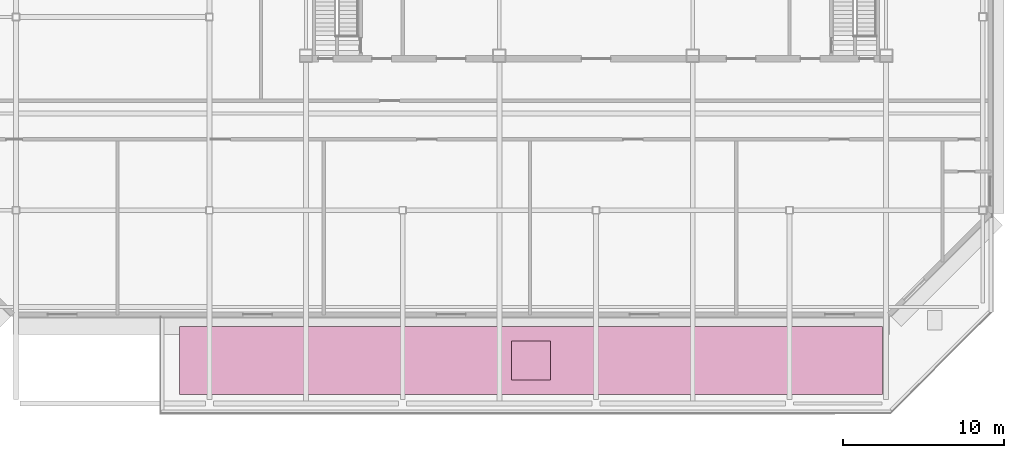
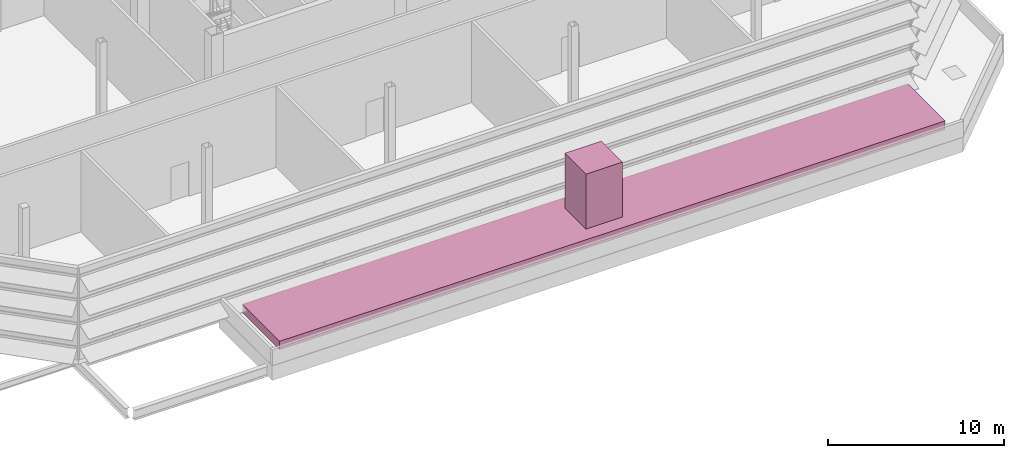
# One storey, part 14 of 14: 2 furniture elements.
"""IFC4 building model written with IfcOpenShell, lengths in metres."""

from ifc_helpers import new_model, si_unit, direction, frame, origin, origin_2d, place, context, subcontext, project, spatial, rectangle, extrude, material, type_object, element, save


model = new_model("IFC4")

# Units and contexts
model_context = context("Model", 3, precision=1e-05, world=origin(), true_north=direction((0.0, 1.0)))
body_context = subcontext(model_context, "Body", "Model", "MODEL_VIEW")
ifc_project = project(units=[si_unit("LENGTHUNIT", "METRE"), si_unit("AREAUNIT", "SQUARE_METRE"), si_unit("VOLUMEUNIT", "CUBIC_METRE"), si_unit("PLANEANGLEUNIT", "RADIAN"), si_unit("MASSUNIT", "GRAM", prefix="KILO")], contexts=[model_context])

# Site, building, storey
site_placement = place(None, origin())
site = spatial("IfcSite", under=ifc_project, at=site_placement, CompositionType="ELEMENT")
building_placement = place(site_placement, origin())
building = spatial("IfcBuilding", under=site, at=building_placement, Name="Sorahane Residences", CompositionType="ELEMENT")
storey_placement = place(building_placement, frame((0.0, 0.0, 331.199951171875)))
storey = spatial("IfcBuildingStorey", under=building, at=storey_placement, Name="L79", CompositionType="ELEMENT", Elevation=331.199951171875)

# Furniture
ifc_material_1 = material(Name="Planting soil with shrubs in a steel-framed bed", Category="steel")
furniture_type_1 = type_object("IfcFurnitureType", Name="PLANTER bed black steel frame with soil 43622x4250", AssemblyPlace="NOTDEFINED", PredefinedType="NOTDEFINED", material=ifc_material_1)
furniture_1_placement = place(storey_placement, frame((19.961181640625, 2.675048828125, 0.0), z_axis=(0.0, 0.0, 1.0), x_axis=(1.0, 0.0, 0.0)))
element("IfcFurniture", 1, at=furniture_1_placement, inside=storey, type_object=furniture_type_1, Name="PLANTER bed L79.1.1", PredefinedType="NOTDEFINED", context=body_context, shape_type="SweptSolid", body=[
    extrude(rectangle(XDim=43.622314453125, YDim=4.25, at=origin_2d()), origin(), (0.0, 0.0, 1.0), 0.60009765625),
])
ifc_material_2 = material(Name="Green foliage shrub planting")
furniture_type_2 = type_object("IfcFurnitureType", Name="PLANTER shrub planting green foliage", AssemblyPlace="NOTDEFINED", PredefinedType="NOTDEFINED", material=ifc_material_2)
furniture_2_placement = place(storey_placement, frame((19.961181640625, 2.675048828125, 0.60009765625), z_axis=(0.0, 0.0, 1.0), x_axis=(1.0, 0.0, 0.0)))
element("IfcFurniture", 2, at=furniture_2_placement, inside=storey, type_object=furniture_type_2, Name="PLANTER shrub L79.1.1", PredefinedType="NOTDEFINED", context=body_context, shape_type="SweptSolid", body=[
    extrude(rectangle(XDim=2.39990234375, YDim=2.39990234375, at=origin_2d()), origin(), (0.0, 0.0, 1.0), 3.800048828125),
])

save(model, "model.ifc")
